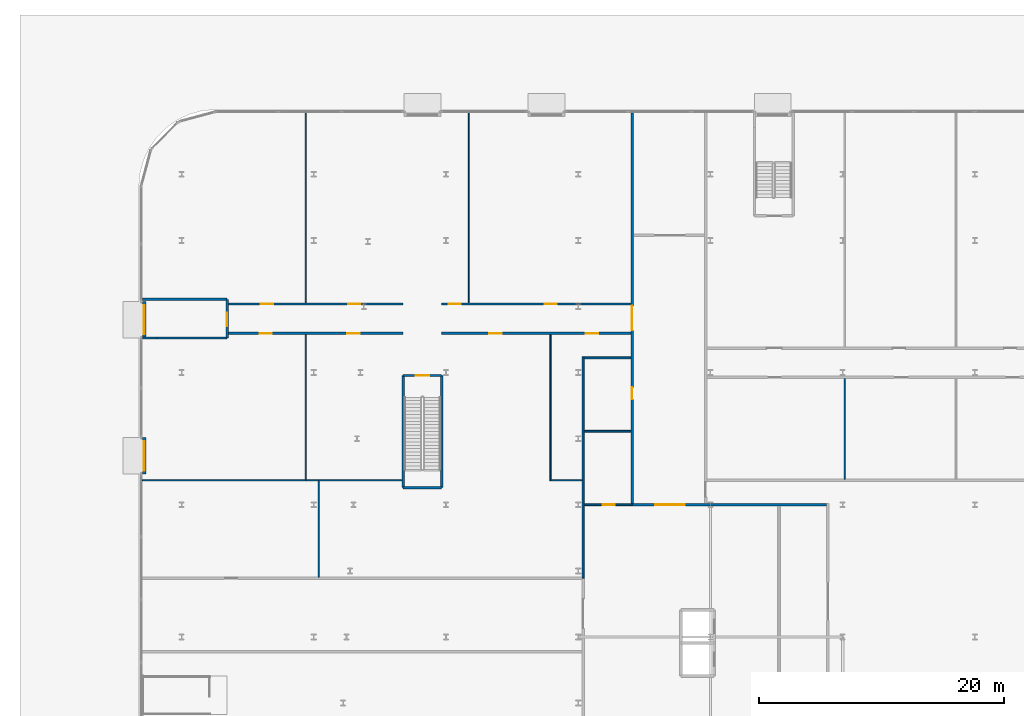
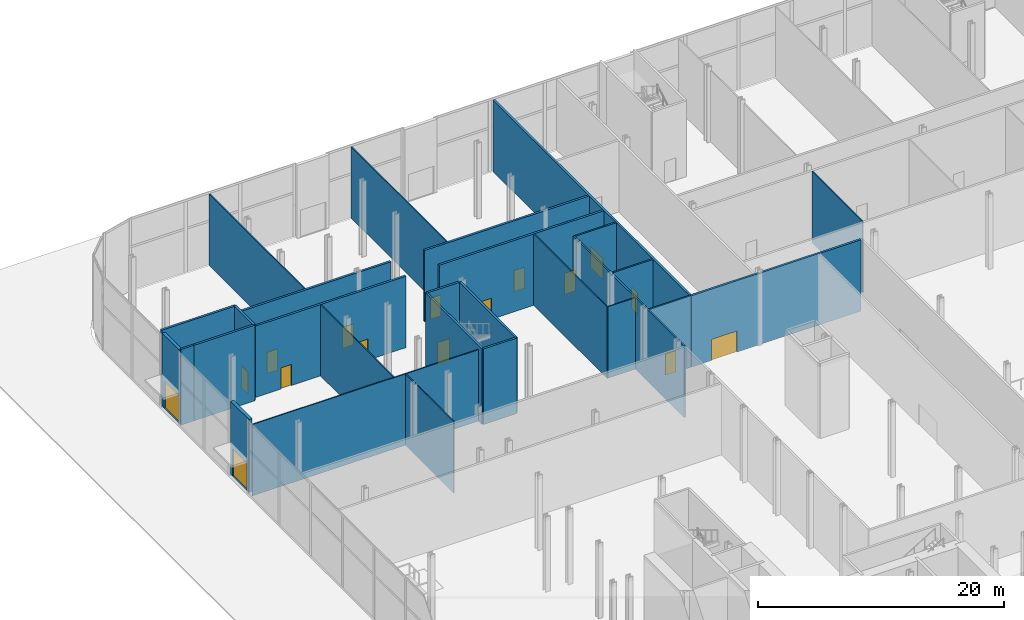
# One storey, part 30 of 46: 28 walls, 16 doors, 16 openings.
"""IFC4 building model written with IfcOpenShell, lengths in metres."""

from ifc_helpers import new_model, si_unit, direction, frame, frame_2d, origin, place, context, subcontext, project, spatial, rectangle, extrude, source, transform, mapped, material, layer, layer_set, type_object, element, fill, save


model = new_model("IFC4")

# Units and contexts
model_context = context("Model", 3, precision=1e-05, world=origin(), true_north=direction((0.0, 1.0)))
body_context = subcontext(model_context, "Body", "Model", "MODEL_VIEW")
ifc_project = project(units=[si_unit("LENGTHUNIT", "METRE"), si_unit("AREAUNIT", "SQUARE_METRE"), si_unit("VOLUMEUNIT", "CUBIC_METRE"), si_unit("PLANEANGLEUNIT", "RADIAN"), si_unit("MASSUNIT", "GRAM", prefix="KILO")], contexts=[model_context])

# Site, building, storey
site_placement = place(None, origin())
site = spatial("IfcSite", under=ifc_project, at=site_placement, CompositionType="ELEMENT")
building_placement = place(site_placement, origin())
building = spatial("IfcBuilding", under=site, at=building_placement, Name="Kheshtan School and Residences Tower", CompositionType="ELEMENT")
storey_placement = place(building_placement, origin())
storey = spatial("IfcBuildingStorey", under=building, at=storey_placement, Name="L00", CompositionType="ELEMENT", Elevation=0.0)

# Wall, openings, doors
ifc_material_1 = material(Name="Gypsum board on steel studs with fire boards", Category="steel")
ifc_layer_1 = layer(ifc_material_1, 0.199951171875)
ifc_layer_set_1 = layer_set([ifc_layer_1], Name="Corridor wall 200")
wall_type_1 = type_object("IfcWallType", Name="Corridor wall 200", PredefinedType="PARTITIONING", material=ifc_layer_set_1)
wall_1_placement = place(storey_placement, frame((19.01904296875, 92.0, 0.0), z_axis=(0.0, 0.0, 1.0), x_axis=(1.0, 0.0, 0.0)))
wall_1 = element("IfcWall", 1, at=wall_1_placement, inside=storey, type_object=wall_type_1, Name="Partition L00-008", PredefinedType="PARTITIONING", context=body_context, shape_type="SweptSolid", body=[
    extrude(rectangle(XDim=14.281005859375, YDim=0.199951171875, at=frame_2d((7.140625, 0.0))), origin(), (0.0, 0.0, 1.0), 7.080078125),
])
opening_1_placement = place(wall_1_placement, frame((2.551025390625, 0.0, 0.0)))
opening_1 = element("IfcOpeningElement", 2, at=opening_1_placement, cuts=wall_1, Name="Opening D00-010", PredefinedType="OPENING", context=body_context, shape_type="SweptSolid", body=[
    extrude(rectangle(XDim=1.0, YDim=2.10009765625, at=frame_2d((0.5, 1.050048828125))), frame((0.0, 0.10986328125, 0.0), z_axis=(0.0, -1.0, 0.0), x_axis=(1.0, 0.0, 0.0)), (0.0, 0.0, 1.0), 0.219970703125),
])
opening_2_placement = place(wall_1_placement, frame((9.714111328125, 0.0, 0.0)))
opening_2 = element("IfcOpeningElement", 3, at=opening_2_placement, cuts=wall_1, Name="Opening D00-011", PredefinedType="OPENING", context=body_context, shape_type="SweptSolid", body=[
    extrude(rectangle(XDim=1.0, YDim=2.10009765625, at=frame_2d((0.5, 1.050048828125))), frame((0.0, 0.10986328125, 0.0), z_axis=(0.0, -1.0, 0.0), x_axis=(1.0, 0.0, 0.0)), (0.0, 0.0, 1.0), 0.219970703125),
])
ifc_material_2 = material(Name="Steel-framed fire-resisting door leaf", Category="steel")
door_type_1 = type_object("IfcDoorType", Name="Fire door FD60 1000 x 2100", OperationType="SINGLE_SWING_LEFT", PredefinedType="DOOR", material=ifc_material_2)
shared_shape_1 = source(origin(), body_context, "Body", "SweptSolid", [
    extrude(rectangle(XDim=1.0, YDim=2.10009765625, at=frame_2d((0.5, 1.050048828125))), frame((0.0, 0.02490234375, 0.0), z_axis=(0.0, -1.0, 0.0), x_axis=(1.0, 0.0, 0.0)), (0.0, 0.0, 1.0), 0.050048828125),
])
door_1_placement = place(opening_1_placement, origin())
door_1 = element("IfcDoor", 4, at=door_1_placement, inside=storey, type_object=door_type_1, Name="Door D00-010", OperationType="SINGLE_SWING_LEFT", OverallHeight=2.10009765625, OverallWidth=1.0, PredefinedType="DOOR", context=body_context, shape_type="MappedRepresentation", body=[
    mapped(shared_shape_1, transform((0.0, 0.0, 0.0), x_axis=(1.0, 0.0, 0.0), y_axis=(0.0, 1.0, 0.0), z_axis=(0.0, 0.0, 1.0), scale=1.0)),
])
fill(opening_1, door_1)
door_2_placement = place(opening_2_placement, origin())
door_2 = element("IfcDoor", 5, at=door_2_placement, inside=storey, type_object=door_type_1, Name="Door D00-011", OperationType="SINGLE_SWING_RIGHT", OverallHeight=2.10009765625, OverallWidth=1.0, PredefinedType="DOOR", context=body_context, shape_type="MappedRepresentation", body=[
    mapped(shared_shape_1, transform((0.0, 0.0, 0.0), x_axis=(1.0, 0.0, 0.0), y_axis=(0.0, 1.0, 0.0), z_axis=(0.0, 0.0, 1.0), scale=1.0)),
])
fill(opening_2, door_2)

wall_2_placement = place(storey_placement, frame((19.01904296875, 94.39990234375, 0.0), z_axis=(0.0, 0.0, 1.0), x_axis=(1.0, 0.0, 0.0)))
wall_2 = element("IfcWall", 6, at=wall_2_placement, inside=storey, type_object=wall_type_1, Name="Partition L00-009", PredefinedType="PARTITIONING", context=body_context, shape_type="SweptSolid", body=[
    extrude(rectangle(XDim=14.281005859375, YDim=0.199951171875, at=frame_2d((7.140625, 0.0))), origin(), (0.0, 0.0, 1.0), 7.080078125),
])
opening_3_placement = place(wall_2_placement, frame((2.6640625, 0.0, 0.0)))
opening_3 = element("IfcOpeningElement", 7, at=opening_3_placement, cuts=wall_2, Name="Opening D00-014", PredefinedType="OPENING", context=body_context, shape_type="SweptSolid", body=[
    extrude(rectangle(XDim=1.0, YDim=2.10009765625, at=frame_2d((0.5, 1.050048828125))), frame((0.0, 0.10986328125, 0.0), z_axis=(0.0, -1.0, 0.0), x_axis=(1.0, 0.0, 0.0)), (0.0, 0.0, 1.0), 0.219970703125),
])
opening_4_placement = place(wall_2_placement, frame((9.781005859375, 0.0, 0.0)))
opening_4 = element("IfcOpeningElement", 8, at=opening_4_placement, cuts=wall_2, Name="Opening D00-015", PredefinedType="OPENING", context=body_context, shape_type="SweptSolid", body=[
    extrude(rectangle(XDim=1.0, YDim=2.10009765625, at=frame_2d((0.5, 1.050048828125))), frame((0.0, 0.10986328125, 0.0), z_axis=(0.0, -1.0, 0.0), x_axis=(1.0, 0.0, 0.0)), (0.0, 0.0, 1.0), 0.219970703125),
])
door_3_placement = place(opening_3_placement, origin())
door_3 = element("IfcDoor", 9, at=door_3_placement, inside=storey, type_object=door_type_1, Name="Door D00-014", OperationType="SINGLE_SWING_LEFT", OverallHeight=2.10009765625, OverallWidth=1.0, PredefinedType="DOOR", context=body_context, shape_type="MappedRepresentation", body=[
    mapped(shared_shape_1, transform((0.0, 0.0, 0.0), x_axis=(1.0, 0.0, 0.0), y_axis=(0.0, 1.0, 0.0), z_axis=(0.0, 0.0, 1.0), scale=1.0)),
])
fill(opening_3, door_3)
door_4_placement = place(opening_4_placement, origin())
door_4 = element("IfcDoor", 10, at=door_4_placement, inside=storey, type_object=door_type_1, Name="Door D00-015", OperationType="SINGLE_SWING_RIGHT", OverallHeight=2.10009765625, OverallWidth=1.0, PredefinedType="DOOR", context=body_context, shape_type="MappedRepresentation", body=[
    mapped(shared_shape_1, transform((0.0, 0.0, 0.0), x_axis=(1.0, 0.0, 0.0), y_axis=(0.0, 1.0, 0.0), z_axis=(0.0, 0.0, 1.0), scale=1.0)),
])
fill(opening_4, door_4)

wall_3_placement = place(storey_placement, frame((36.449951171875, 92.0, 0.0), z_axis=(0.0, 0.0, 1.0), x_axis=(1.0, 0.0, 0.0)))
wall_3 = element("IfcWall", 11, at=wall_3_placement, inside=storey, type_object=wall_type_1, Name="Partition L00-016", PredefinedType="PARTITIONING", context=body_context, shape_type="SweptSolid", body=[
    extrude(rectangle(XDim=15.449951171875, YDim=0.199951171875, at=frame_2d((7.72509765625, 0.0))), origin(), (0.0, 0.0, 1.0), 7.080078125),
])
opening_5_placement = place(wall_3_placement, frame((3.89990234375, 0.0, 0.0)))
opening_5 = element("IfcOpeningElement", 12, at=opening_5_placement, cuts=wall_3, Name="Opening D00-012", PredefinedType="OPENING", context=body_context, shape_type="SweptSolid", body=[
    extrude(rectangle(XDim=1.0, YDim=2.10009765625, at=frame_2d((0.5, 1.050048828125))), frame((0.0, 0.10986328125, 0.0), z_axis=(0.0, -1.0, 0.0), x_axis=(1.0, 0.0, 0.0)), (0.0, 0.0, 1.0), 0.219970703125),
])
opening_6_placement = place(wall_3_placement, frame((11.782958984375, 0.0, 0.0)))
opening_6 = element("IfcOpeningElement", 13, at=opening_6_placement, cuts=wall_3, Name="Opening D00-013", PredefinedType="OPENING", context=body_context, shape_type="SweptSolid", body=[
    extrude(rectangle(XDim=1.0, YDim=2.10009765625, at=frame_2d((0.5, 1.050048828125))), frame((0.0, 0.10986328125, 0.0), z_axis=(0.0, -1.0, 0.0), x_axis=(1.0, 0.0, 0.0)), (0.0, 0.0, 1.0), 0.219970703125),
])
door_5_placement = place(opening_5_placement, origin())
door_5 = element("IfcDoor", 14, at=door_5_placement, inside=storey, type_object=door_type_1, Name="Door D00-012", OperationType="SINGLE_SWING_RIGHT", OverallHeight=2.10009765625, OverallWidth=1.0, PredefinedType="DOOR", context=body_context, shape_type="MappedRepresentation", body=[
    mapped(shared_shape_1, transform((0.0, 0.0, 0.0), x_axis=(1.0, 0.0, 0.0), y_axis=(0.0, 1.0, 0.0), z_axis=(0.0, 0.0, 1.0), scale=1.0)),
])
fill(opening_5, door_5)
door_6_placement = place(opening_6_placement, origin())
door_6 = element("IfcDoor", 15, at=door_6_placement, inside=storey, type_object=door_type_1, Name="Door D00-013", OperationType="SINGLE_SWING_LEFT", OverallHeight=2.10009765625, OverallWidth=1.0, PredefinedType="DOOR", context=body_context, shape_type="MappedRepresentation", body=[
    mapped(shared_shape_1, transform((0.0, 0.0, 0.0), x_axis=(1.0, 0.0, 0.0), y_axis=(0.0, 1.0, 0.0), z_axis=(0.0, 0.0, 1.0), scale=1.0)),
])
fill(opening_6, door_6)

wall_4_placement = place(storey_placement, frame((36.449951171875, 94.39990234375, 0.0), z_axis=(0.0, 0.0, 1.0), x_axis=(1.0, 0.0, 0.0)))
wall_4 = element("IfcWall", 16, at=wall_4_placement, inside=storey, type_object=wall_type_1, Name="Partition L00-017", PredefinedType="PARTITIONING", context=body_context, shape_type="SweptSolid", body=[
    extrude(rectangle(XDim=15.449951171875, YDim=0.199951171875, at=frame_2d((7.72509765625, 0.0))), origin(), (0.0, 0.0, 1.0), 7.080078125),
])
opening_7_placement = place(wall_4_placement, frame((0.56689453125, 0.0, 0.0)))
opening_7 = element("IfcOpeningElement", 17, at=opening_7_placement, cuts=wall_4, Name="Opening D00-016", PredefinedType="OPENING", context=body_context, shape_type="SweptSolid", body=[
    extrude(rectangle(XDim=1.0, YDim=2.10009765625, at=frame_2d((0.5, 1.050048828125))), frame((0.0, 0.10986328125, 0.0), z_axis=(0.0, -1.0, 0.0), x_axis=(1.0, 0.0, 0.0)), (0.0, 0.0, 1.0), 0.219970703125),
])
opening_8_placement = place(wall_4_placement, frame((8.39990234375, 0.0, 0.0)))
opening_8 = element("IfcOpeningElement", 18, at=opening_8_placement, cuts=wall_4, Name="Opening D00-017", PredefinedType="OPENING", context=body_context, shape_type="SweptSolid", body=[
    extrude(rectangle(XDim=1.0, YDim=2.10009765625, at=frame_2d((0.5, 1.050048828125))), frame((0.0, 0.10986328125, 0.0), z_axis=(0.0, -1.0, 0.0), x_axis=(1.0, 0.0, 0.0)), (0.0, 0.0, 1.0), 0.219970703125),
])
door_7_placement = place(opening_7_placement, origin())
door_7 = element("IfcDoor", 19, at=door_7_placement, inside=storey, type_object=door_type_1, Name="Door D00-016", OperationType="SINGLE_SWING_RIGHT", OverallHeight=2.10009765625, OverallWidth=1.0, PredefinedType="DOOR", context=body_context, shape_type="MappedRepresentation", body=[
    mapped(shared_shape_1, transform((0.0, 0.0, 0.0), x_axis=(1.0, 0.0, 0.0), y_axis=(0.0, 1.0, 0.0), z_axis=(0.0, 0.0, 1.0), scale=1.0)),
])
fill(opening_7, door_7)
door_8_placement = place(opening_8_placement, origin())
door_8 = element("IfcDoor", 20, at=door_8_placement, inside=storey, type_object=door_type_1, Name="Door D00-017", OperationType="SINGLE_SWING_RIGHT", OverallHeight=2.10009765625, OverallWidth=1.0, PredefinedType="DOOR", context=body_context, shape_type="MappedRepresentation", body=[
    mapped(shared_shape_1, transform((0.0, 0.0, 0.0), x_axis=(1.0, 0.0, 0.0), y_axis=(0.0, 1.0, 0.0), z_axis=(0.0, 0.0, 1.0), scale=1.0)),
])
fill(opening_8, door_8)

# Wall, opening, door
wall_5_placement = place(storey_placement, frame((52.0, 78.0, 0.0), z_axis=(0.0, 0.0, 1.0), x_axis=(1.0, 0.0, 0.0)))
wall_5 = element("IfcWall", 21, at=wall_5_placement, inside=storey, type_object=wall_type_1, Name="Partition L00-030", PredefinedType="PARTITIONING", context=body_context, shape_type="SweptSolid", body=[
    extrude(rectangle(XDim=15.89990234375, YDim=0.199951171875, at=frame_2d((7.949951171875, 0.0))), origin(), (0.0, 0.0, 1.0), 7.080078125),
])
opening_9_placement = place(wall_5_placement, frame((1.89990234375, 0.0, 0.0)))
opening_9 = element("IfcOpeningElement", 22, at=opening_9_placement, cuts=wall_5, Name="Opening D00-053", PredefinedType="OPENING", context=body_context, shape_type="SweptSolid", body=[
    extrude(rectangle(XDim=2.39990234375, YDim=2.10009765625, at=frame_2d((1.199951171875, 1.050048828125))), frame((0.0, 0.10986328125, 0.0), z_axis=(0.0, -1.0, 0.0), x_axis=(1.0, 0.0, 0.0)), (0.0, 0.0, 1.0), 0.219970703125),
])
door_type_2 = type_object("IfcDoorType", Name="Fire double door FD60 2400 x 2100", OperationType="DOUBLE_DOOR_SINGLE_SWING", PredefinedType="DOOR", material=ifc_material_2)
shared_shape_2 = source(origin(), body_context, "Body", "SweptSolid", [
    extrude(rectangle(XDim=2.39990234375, YDim=2.10009765625, at=frame_2d((1.199951171875, 1.050048828125))), frame((0.0, 0.02490234375, 0.0), z_axis=(0.0, -1.0, 0.0), x_axis=(1.0, 0.0, 0.0)), (0.0, 0.0, 1.0), 0.050048828125),
])
door_9_placement = place(opening_9_placement, origin())
door_9 = element("IfcDoor", 23, at=door_9_placement, inside=storey, type_object=door_type_2, Name="Door D00-053", OperationType="DOUBLE_DOOR_SINGLE_SWING", OverallHeight=2.10009765625, OverallWidth=2.39990234375, PredefinedType="DOOR", context=body_context, shape_type="MappedRepresentation", body=[
    mapped(shared_shape_2, transform((0.0, 0.0, 0.0), x_axis=(1.0, 0.0, 0.0), y_axis=(0.0, 1.0, 0.0), z_axis=(0.0, 0.0, 1.0), scale=1.0)),
])
fill(opening_9, door_9)

# Wall, openings, doors
wall_6_placement = place(storey_placement, frame((52.0, 78.10009765625, 0.0), z_axis=(0.0, 0.0, 1.0), x_axis=(0.0, 1.0, 0.0)))
wall_6 = element("IfcWall", 24, at=wall_6_placement, inside=storey, type_object=wall_type_1, Name="Partition L00-031", PredefinedType="PARTITIONING", context=body_context, shape_type="SweptSolid", body=[
    extrude(rectangle(XDim=31.89990234375, YDim=0.199951171875, at=frame_2d((15.949951171875, 0.0))), origin(), (0.0, 0.0, 1.0), 7.080078125),
])
opening_10_placement = place(wall_6_placement, frame((14.14990234375, 0.0, 0.0)))
opening_10 = element("IfcOpeningElement", 25, at=opening_10_placement, cuts=wall_6, Name="Opening D00-018", PredefinedType="OPENING", context=body_context, shape_type="SweptSolid", body=[
    extrude(rectangle(XDim=2.0, YDim=2.10009765625, at=frame_2d((1.0, 1.050048828125))), frame((0.0, 0.10986328125, 0.0), z_axis=(0.0, -1.0, 0.0), x_axis=(1.0, 0.0, 0.0)), (0.0, 0.0, 1.0), 0.219970703125),
])
opening_11_placement = place(wall_6_placement, frame((8.5, 0.0, 0.0)))
opening_11 = element("IfcOpeningElement", 26, at=opening_11_placement, cuts=wall_6, Name="Opening D00-054", PredefinedType="OPENING", context=body_context, shape_type="SweptSolid", body=[
    extrude(rectangle(XDim=1.0, YDim=2.10009765625, at=frame_2d((0.5, 1.050048828125))), frame((0.0, 0.10986328125, 0.0), z_axis=(0.0, -1.0, 0.0), x_axis=(1.0, 0.0, 0.0)), (0.0, 0.0, 1.0), 0.219970703125),
])
door_10_placement = place(opening_11_placement, origin())
door_10 = element("IfcDoor", 27, at=door_10_placement, inside=storey, type_object=door_type_1, Name="Door D00-054", OperationType="SINGLE_SWING_LEFT", OverallHeight=2.10009765625, OverallWidth=1.0, PredefinedType="DOOR", context=body_context, shape_type="MappedRepresentation", body=[
    mapped(shared_shape_1, transform((0.0, 0.0, 0.0), x_axis=(1.0, 0.0, 0.0), y_axis=(0.0, 1.0, 0.0), z_axis=(0.0, 0.0, 1.0), scale=1.0)),
])
fill(opening_11, door_10)
door_type_3 = type_object("IfcDoorType", Name="Fire double door FD60 2000 x 2100", OperationType="DOUBLE_DOOR_SINGLE_SWING", PredefinedType="DOOR", material=ifc_material_2)
shared_shape_3 = source(origin(), body_context, "Body", "SweptSolid", [
    extrude(rectangle(XDim=2.0, YDim=2.10009765625, at=frame_2d((1.0, 1.050048828125))), frame((0.0, 0.02490234375, 0.0), z_axis=(0.0, -1.0, 0.0), x_axis=(1.0, 0.0, 0.0)), (0.0, 0.0, 1.0), 0.050048828125),
])
door_11_placement = place(opening_10_placement, origin())
door_11 = element("IfcDoor", 28, at=door_11_placement, inside=storey, type_object=door_type_3, Name="Door D00-018", OperationType="DOUBLE_DOOR_SINGLE_SWING", OverallHeight=2.10009765625, OverallWidth=2.0, PredefinedType="DOOR", context=body_context, shape_type="MappedRepresentation", body=[
    mapped(shared_shape_3, transform((0.0, 0.0, 0.0), x_axis=(1.0, 0.0, 0.0), y_axis=(0.0, 1.0, 0.0), z_axis=(0.0, 0.0, 1.0), scale=1.0)),
])
fill(opening_10, door_11)

# Walls
ifc_material_3 = material(Name="Gypsum board on steel studs", Category="steel")
ifc_layer_2 = layer(ifc_material_3, 0.10009765625)
ifc_layer_set_2 = layer_set([ifc_layer_2], Name="Gypsum partition 100")
wall_type_2 = type_object("IfcWallType", Name="Gypsum partition 100", PredefinedType="PARTITIONING", material=ifc_layer_set_2)
wall_7_placement = place(storey_placement, frame((12.0, 80.0, 0.0), z_axis=(0.0, 0.0, 1.0), x_axis=(1.0, 0.0, 0.0)))
element("IfcWall", 29, at=wall_7_placement, inside=storey, type_object=wall_type_2, Name="Partition L00-007", PredefinedType="PARTITIONING", context=body_context, shape_type="SweptSolid", body=[
    extrude(rectangle(XDim=21.200927734375, YDim=0.10009765625, at=frame_2d((10.6005859375, 0.0))), origin(), (0.0, 0.0, 1.0), 7.080078125),
])
wall_8_placement = place(storey_placement, frame((25.3330078125, 80.050048828125, 0.0), z_axis=(0.0, 0.0, 1.0), x_axis=(0.0, 1.0, 0.0)))
element("IfcWall", 30, at=wall_8_placement, inside=storey, type_object=wall_type_2, Name="Partition L00-011", PredefinedType="PARTITIONING", context=body_context, shape_type="SweptSolid", body=[
    extrude(rectangle(XDim=11.849853515625, YDim=0.10009765625, at=frame_2d((5.9248046875, 0.0))), origin(), (0.0, 0.0, 1.0), 7.080078125),
])
wall_9_placement = place(storey_placement, frame((25.3330078125, 94.5, 0.0), z_axis=(0.0, 0.0, 1.0), x_axis=(0.0, 1.0, 0.0)))
element("IfcWall", 31, at=wall_9_placement, inside=storey, type_object=wall_type_2, Name="Partition L00-012", PredefinedType="PARTITIONING", context=body_context, shape_type="SweptSolid", body=[
    extrude(rectangle(XDim=15.5, YDim=0.10009765625, at=frame_2d((7.75, 0.0))), origin(), (0.0, 0.0, 1.0), 7.080078125),
])
wall_10_placement = place(storey_placement, frame((26.39990234375, 72.10009765625, 0.0), z_axis=(0.0, 0.0, 1.0), x_axis=(0.0, 1.0, 0.0)))
element("IfcWall", 32, at=wall_10_placement, inside=storey, type_object=wall_type_2, Name="Partition L00-014", PredefinedType="PARTITIONING", context=body_context, shape_type="SweptSolid", body=[
    extrude(rectangle(XDim=7.849853515625, YDim=0.10009765625, at=frame_2d((3.9248046875, 0.0))), origin(), (0.0, 0.0, 1.0), 7.080078125),
])
wall_11_placement = place(storey_placement, frame((38.6669921875, 94.5, 0.0), z_axis=(0.0, 0.0, 1.0), x_axis=(0.0, 1.0, 0.0)))
element("IfcWall", 33, at=wall_11_placement, inside=storey, type_object=wall_type_2, Name="Partition L00-020", PredefinedType="PARTITIONING", context=body_context, shape_type="SweptSolid", body=[
    extrude(rectangle(XDim=15.5, YDim=0.10009765625, at=frame_2d((7.75, 0.0))), origin(), (0.0, 0.0, 1.0), 7.080078125),
])
wall_12_placement = place(storey_placement, frame((45.3330078125, 79.949951171875, 0.0), z_axis=(0.0, 0.0, 1.0), x_axis=(0.0, 1.0, 0.0)))
element("IfcWall", 34, at=wall_12_placement, inside=storey, type_object=wall_type_2, Name="Partition L00-021", PredefinedType="PARTITIONING", context=body_context, shape_type="SweptSolid", body=[
    extrude(rectangle(XDim=11.949951171875, YDim=0.10009765625, at=frame_2d((5.97509765625, 0.0))), origin(), (0.0, 0.0, 1.0), 7.080078125),
])
wall_13_placement = place(storey_placement, frame((45.383056640625, 80.0, 0.0), z_axis=(0.0, 0.0, 1.0), x_axis=(1.0, 0.0, 0.0)))
element("IfcWall", 35, at=wall_13_placement, inside=storey, type_object=wall_type_2, Name="Partition L00-022", PredefinedType="PARTITIONING", context=body_context, shape_type="SweptSolid", body=[
    extrude(rectangle(XDim=2.5419921875, YDim=0.10009765625, at=frame_2d((1.27099609375, 0.0))), origin(), (0.0, 0.0, 1.0), 7.080078125),
])
wall_14_placement = place(storey_placement, frame((69.364013671875, 80.10009765625, 0.0), z_axis=(0.0, 0.0, 1.0), x_axis=(0.0, 1.0, 0.0)))
element("IfcWall", 36, at=wall_14_placement, inside=storey, type_object=wall_type_2, Name="Partition L00-041", PredefinedType="PARTITIONING", context=body_context, shape_type="SweptSolid", body=[
    extrude(rectangle(XDim=8.199951171875, YDim=0.10009765625, at=frame_2d((4.10009765625, 0.0))), origin(), (0.0, 0.0, 1.0), 7.080078125),
])

# Wall, opening, door
ifc_material_4 = material(Name="Concrete C40/50 with ceramic cladding and mineral wool insulation", Category="concrete")
ifc_layer_3 = layer(ifc_material_4, 0.300048828125)
ifc_layer_set_3 = layer_set([ifc_layer_3], Name="Podium external wall 300")
wall_type_3 = type_object("IfcWallType", Name="Podium external wall 300", PredefinedType="SOLIDWALL", material=ifc_layer_set_3)
wall_15_placement = place(storey_placement, frame((12.14990234375, 80.5, 0.0), z_axis=(0.0, 0.0, 1.0), x_axis=(0.0, 1.0, 0.0)))
wall_15 = element("IfcWall", 37, at=wall_15_placement, inside=storey, type_object=wall_type_3, Name="Podium external wall L00 16.3", PredefinedType="SOLIDWALL", context=body_context, shape_type="SweptSolid", body=[
    extrude(rectangle(XDim=3.0, YDim=0.300048828125, at=frame_2d((1.5, 0.0))), origin(), (0.0, 0.0, 1.0), 7.25),
])
opening_12_placement = place(wall_15_placement, frame((0.300048828125, 0.0, 0.0)))
opening_12 = element("IfcOpeningElement", 38, at=opening_12_placement, cuts=wall_15, Name="Opening ED", PredefinedType="OPENING", context=body_context, shape_type="SweptSolid", body=[
    extrude(rectangle(XDim=2.39990234375, YDim=2.699951171875, at=frame_2d((1.199951171875, 1.35009765625))), frame((0.0, 0.16015625, 0.0), z_axis=(0.0, -1.0, 0.0), x_axis=(1.0, 0.0, 0.0)), (0.0, 0.0, 1.0), 0.320068359375),
])
ifc_material_5 = material(Name="Clear low-e glass in thermally broken aluminium frame", Category="aluminium")
door_type_4 = type_object("IfcDoorType", Name="Entrance double door", OperationType="DOUBLE_DOOR_SINGLE_SWING", PredefinedType="DOOR", material=ifc_material_5)
shared_shape_4 = source(origin(), body_context, "Body", "SweptSolid", [
    extrude(rectangle(XDim=2.39990234375, YDim=2.699951171875, at=frame_2d((1.199951171875, 1.35009765625))), frame((0.0, 0.02490234375, 0.0), z_axis=(0.0, -1.0, 0.0), x_axis=(1.0, 0.0, 0.0)), (0.0, 0.0, 1.0), 0.050048828125),
])
door_12_placement = place(opening_12_placement, origin())
door_12 = element("IfcDoor", 39, at=door_12_placement, inside=storey, type_object=door_type_4, Name="Entrance door 16.3", OperationType="DOUBLE_DOOR_SINGLE_SWING", OverallHeight=2.699951171875, OverallWidth=2.39990234375, PredefinedType="DOOR", context=body_context, shape_type="MappedRepresentation", body=[
    mapped(shared_shape_4, transform((0.0, 0.0, 0.0), x_axis=(1.0, 0.0, 0.0), y_axis=(0.0, 1.0, 0.0), z_axis=(0.0, 0.0, 1.0), scale=1.0)),
])
fill(opening_12, door_12)

wall_16_placement = place(storey_placement, frame((12.14990234375, 91.614990234375, 0.0), z_axis=(0.0, 0.0, 1.0), x_axis=(0.0, 1.0, 0.0)))
wall_16 = element("IfcWall", 40, at=wall_16_placement, inside=storey, type_object=wall_type_3, Name="Podium external wall L00 16.5", PredefinedType="SOLIDWALL", context=body_context, shape_type="SweptSolid", body=[
    extrude(rectangle(XDim=3.0, YDim=0.300048828125, at=frame_2d((1.5, 0.0))), origin(), (0.0, 0.0, 1.0), 7.25),
])
opening_13_placement = place(wall_16_placement, frame((0.300048828125, 0.0, 0.0)))
opening_13 = element("IfcOpeningElement", 41, at=opening_13_placement, cuts=wall_16, Name="Opening ED", PredefinedType="OPENING", context=body_context, shape_type="SweptSolid", body=[
    extrude(rectangle(XDim=2.39990234375, YDim=2.699951171875, at=frame_2d((1.199951171875, 1.35009765625))), frame((0.0, 0.16015625, 0.0), z_axis=(0.0, -1.0, 0.0), x_axis=(1.0, 0.0, 0.0)), (0.0, 0.0, 1.0), 0.320068359375),
])
door_13_placement = place(opening_13_placement, origin())
door_13 = element("IfcDoor", 42, at=door_13_placement, inside=storey, type_object=door_type_4, Name="Entrance door 16.5", OperationType="DOUBLE_DOOR_SINGLE_SWING", OverallHeight=2.699951171875, OverallWidth=2.39990234375, PredefinedType="DOOR", context=body_context, shape_type="MappedRepresentation", body=[
    mapped(shared_shape_4, transform((0.0, 0.0, 0.0), x_axis=(1.0, 0.0, 0.0), y_axis=(0.0, 1.0, 0.0), z_axis=(0.0, 0.0, 1.0), scale=1.0)),
])
fill(opening_13, door_13)

# Wall
ifc_material_6 = material(Name="Concrete C40/50", Category="concrete")
ifc_layer_4 = layer(ifc_material_6, 0.199951171875)
ifc_layer_set_4 = layer_set([ifc_layer_4], Name="Stair enclosure wall 200 Concrete C40/50")
wall_type_4 = type_object("IfcWallType", Name="Stair enclosure wall 200 Concrete C40/50", PredefinedType="SHEAR", material=ifc_layer_set_4)
wall_17_placement = place(storey_placement, frame((33.300048828125, 79.39990234375, 0.0), z_axis=(0.0, 0.0, 1.0), x_axis=(1.0, 0.0, 0.0)))
element("IfcWall", 43, at=wall_17_placement, inside=storey, type_object=wall_type_4, Name="Stair enclosure wall ST3", PredefinedType="SHEAR", context=body_context, shape_type="SweptSolid", body=[
    extrude(rectangle(XDim=3.14990234375, YDim=0.199951171875, at=frame_2d((1.574951171875, 0.0))), origin(), (0.0, 0.0, 1.0), 7.5),
])

# Wall, opening, door
wall_18_placement = place(storey_placement, frame((33.300048828125, 88.56005859375, 0.0), z_axis=(0.0, 0.0, 1.0), x_axis=(1.0, 0.0, 0.0)))
wall_18 = element("IfcWall", 44, at=wall_18_placement, inside=storey, type_object=wall_type_4, Name="Stair enclosure wall ST3", PredefinedType="SHEAR", context=body_context, shape_type="SweptSolid", body=[
    extrude(rectangle(XDim=3.14990234375, YDim=0.199951171875, at=frame_2d((1.574951171875, 0.0))), origin(), (0.0, 0.0, 1.0), 7.5),
])
opening_14_placement = place(wall_18_placement, frame((1.02490234375, 0.0, 0.0)))
opening_14 = element("IfcOpeningElement", 45, at=opening_14_placement, cuts=wall_18, Name="Opening ST3D", PredefinedType="OPENING", context=body_context, shape_type="SweptSolid", body=[
    extrude(rectangle(XDim=1.10009765625, YDim=2.199951171875, at=frame_2d((0.550048828125, 1.10009765625))), frame((0.0, 0.10986328125, 0.0), z_axis=(0.0, -1.0, 0.0), x_axis=(1.0, 0.0, 0.0)), (0.0, 0.0, 1.0), 0.219970703125),
])
ifc_material_7 = material(Name="Steel door leaf, galvanised", Category="steel")
door_type_5 = type_object("IfcDoorType", Name="Stair door 1100 steel 90 min", OperationType="SINGLE_SWING_LEFT", PredefinedType="DOOR", material=ifc_material_7)
shared_shape_5 = source(origin(), body_context, "Body", "SweptSolid", [
    extrude(rectangle(XDim=1.10009765625, YDim=2.199951171875, at=frame_2d((0.550048828125, 1.10009765625))), frame((0.0, 0.02490234375, 0.0), z_axis=(0.0, -1.0, 0.0), x_axis=(1.0, 0.0, 0.0)), (0.0, 0.0, 1.0), 0.050048828125),
])
door_14_placement = place(opening_14_placement, origin())
door_14 = element("IfcDoor", 46, at=door_14_placement, inside=storey, type_object=door_type_5, Name="Stair ST3 exit door", OperationType="SINGLE_SWING_LEFT", OverallHeight=2.199951171875, OverallWidth=1.10009765625, PredefinedType="DOOR", context=body_context, shape_type="MappedRepresentation", body=[
    mapped(shared_shape_5, transform((0.0, 0.0, 0.0), x_axis=(1.0, 0.0, 0.0), y_axis=(0.0, 1.0, 0.0), z_axis=(0.0, 0.0, 1.0), scale=1.0)),
])
fill(opening_14, door_14)

# Walls
for number, where, z_axis, x_axis, name in (
    (47, (33.300048828125, 79.39990234375, 0.0), (0.0, 0.0, 1.0), (0.0, 1.0, 0.0), "Stair enclosure wall ST3"),
    (48, (36.449951171875, 79.39990234375, 0.0), (0.0, 0.0, 1.0), (0.0, 1.0, 0.0), "Stair enclosure wall ST3"),
):
    element("IfcWall", number, at=place(storey_placement, frame(where, z_axis=z_axis, x_axis=x_axis)), inside=storey, type_object=wall_type_4, Name=name, PredefinedType="SHEAR", context=body_context, shape_type="SweptSolid", body=[
        extrude(rectangle(XDim=9.16015625, YDim=0.199951171875, at=frame_2d((4.580078125, 0.0))), origin(), (0.0, 0.0, 1.0), 7.5),
    ])
wall_19_placement = place(storey_placement, frame((12.0, 91.625, 0.0), z_axis=(0.0, 0.0, 1.0), x_axis=(1.0, 0.0, 0.0)))
element("IfcWall", 49, at=wall_19_placement, inside=storey, type_object=wall_type_4, Name="Stair enclosure wall", PredefinedType="SHEAR", context=body_context, shape_type="SweptSolid", body=[
    extrude(rectangle(XDim=1.199951171875, YDim=0.199951171875, at=frame_2d((0.60009765625, 0.0))), origin(), (0.0, 0.0, 1.0), 7.5),
])
wall_20_placement = place(storey_placement, frame((13.199951171875, 91.625, 0.0), z_axis=(0.0, 0.0, 1.0), x_axis=(1.0, 0.0, 0.0)))
element("IfcWall", 50, at=wall_20_placement, inside=storey, type_object=wall_type_4, Name="Stair enclosure wall", PredefinedType="SHEAR", context=body_context, shape_type="SweptSolid", body=[
    extrude(rectangle(XDim=5.719970703125, YDim=0.199951171875, at=frame_2d((2.85986328125, 0.0))), origin(), (0.0, 0.0, 1.0), 7.5),
])
wall_21_placement = place(storey_placement, frame((12.0, 94.77490234375, 0.0), z_axis=(0.0, 0.0, 1.0), x_axis=(1.0, 0.0, 0.0)))
element("IfcWall", 51, at=wall_21_placement, inside=storey, type_object=wall_type_4, Name="Stair enclosure wall", PredefinedType="SHEAR", context=body_context, shape_type="SweptSolid", body=[
    extrude(rectangle(XDim=6.919921875, YDim=0.199951171875, at=frame_2d((3.4599609375, 0.0))), origin(), (0.0, 0.0, 1.0), 7.5),
])

# Wall, opening, door
wall_22_placement = place(storey_placement, frame((18.919921875, 91.625, 0.0), z_axis=(0.0, 0.0, 1.0), x_axis=(0.0, 1.0, 0.0)))
wall_22 = element("IfcWall", 52, at=wall_22_placement, inside=storey, type_object=wall_type_4, Name="Stair enclosure wall", PredefinedType="SHEAR", context=body_context, shape_type="SweptSolid", body=[
    extrude(rectangle(XDim=3.14990234375, YDim=0.199951171875, at=frame_2d((1.574951171875, 0.0))), origin(), (0.0, 0.0, 1.0), 7.5),
])
opening_15_placement = place(wall_22_placement, frame((0.97509765625, 0.0, 0.0)))
opening_15 = element("IfcOpeningElement", 53, at=opening_15_placement, cuts=wall_22, Name="Opening SD90", PredefinedType="OPENING", context=body_context, shape_type="SweptSolid", body=[
    extrude(rectangle(XDim=1.10009765625, YDim=2.199951171875, at=frame_2d((0.550048828125, 1.10009765625))), frame((0.0, 0.10986328125, 0.0), z_axis=(0.0, -1.0, 0.0), x_axis=(1.0, 0.0, 0.0)), (0.0, 0.0, 1.0), 0.219970703125),
])
door_15_placement = place(opening_15_placement, origin())
door_15 = element("IfcDoor", 54, at=door_15_placement, inside=storey, type_object=door_type_5, Name="Stair door", OperationType="SINGLE_SWING_LEFT", OverallHeight=2.199951171875, OverallWidth=1.10009765625, PredefinedType="DOOR", context=body_context, shape_type="MappedRepresentation", body=[
    mapped(shared_shape_5, transform((0.0, 0.0, 0.0), x_axis=(1.0, 0.0, 0.0), y_axis=(0.0, 1.0, 0.0), z_axis=(0.0, 0.0, 1.0), scale=1.0)),
])
fill(opening_15, door_15)

# Wall
ifc_material_8 = material(Name="Moisture-resistant gypsum board on steel studs", Category="steel")
ifc_layer_5 = layer(ifc_material_8, 0.14990234375)
ifc_layer_set_5 = layer_set([ifc_layer_5], Name="Wet-room partition 150")
wall_type_5 = type_object("IfcWallType", Name="Wet-room partition 150", PredefinedType="PARTITIONING", material=ifc_layer_set_5)
wall_23_placement = place(storey_placement, frame((48.0, 72.0, 0.0), z_axis=(0.0, 0.0, 1.0), x_axis=(0.0, 1.0, 0.0)))
element("IfcWall", 55, at=wall_23_placement, inside=storey, type_object=wall_type_5, Name="Partition L00-025", PredefinedType="PARTITIONING", context=body_context, shape_type="SweptSolid", body=[
    extrude(rectangle(XDim=18.074951171875, YDim=0.14990234375, at=frame_2d((9.03759765625, 0.0))), origin(), (0.0, 0.0, 1.0), 7.080078125),
])

# Wall, opening, door
wall_24_placement = place(storey_placement, frame((48.074951171875, 78.0, 0.0), z_axis=(0.0, 0.0, 1.0), x_axis=(1.0, 0.0, 0.0)))
wall_24 = element("IfcWall", 56, at=wall_24_placement, inside=storey, type_object=wall_type_5, Name="Partition L00-026", PredefinedType="PARTITIONING", context=body_context, shape_type="SweptSolid", body=[
    extrude(rectangle(XDim=3.925048828125, YDim=0.14990234375, at=frame_2d((1.96240234375, 0.0))), origin(), (0.0, 0.0, 1.0), 7.080078125),
])
opening_16_placement = place(wall_24_placement, frame((1.52490234375, 0.0, 0.0)))
opening_16 = element("IfcOpeningElement", 57, at=opening_16_placement, cuts=wall_24, Name="Opening D00-055", PredefinedType="OPENING", context=body_context, shape_type="SweptSolid", body=[
    extrude(rectangle(XDim=1.0, YDim=2.10009765625, at=frame_2d((0.5, 1.050048828125))), frame((0.0, 0.0849609375, 0.0), z_axis=(0.0, -1.0, 0.0), x_axis=(1.0, 0.0, 0.0)), (0.0, 0.0, 1.0), 0.169921875),
])
ifc_material_9 = material(Name="Veneered timber door leaf", Category="wood")
door_type_6 = type_object("IfcDoorType", Name="Door 1000 x 2100", OperationType="SINGLE_SWING_LEFT", PredefinedType="DOOR", material=ifc_material_9)
shared_shape_6 = source(origin(), body_context, "Body", "SweptSolid", [
    extrude(rectangle(XDim=1.0, YDim=2.10009765625, at=frame_2d((0.5, 1.050048828125))), frame((0.0, 0.02490234375, 0.0), z_axis=(0.0, -1.0, 0.0), x_axis=(1.0, 0.0, 0.0)), (0.0, 0.0, 1.0), 0.050048828125),
])
door_16_placement = place(opening_16_placement, origin())
door_16 = element("IfcDoor", 58, at=door_16_placement, inside=storey, type_object=door_type_6, Name="Door D00-055", OperationType="SINGLE_SWING_RIGHT", OverallHeight=2.10009765625, OverallWidth=1.0, PredefinedType="DOOR", context=body_context, shape_type="MappedRepresentation", body=[
    mapped(shared_shape_6, transform((0.0, 0.0, 0.0), x_axis=(1.0, 0.0, 0.0), y_axis=(0.0, 1.0, 0.0), z_axis=(0.0, 0.0, 1.0), scale=1.0)),
])
fill(opening_16, door_16)

# Walls
for number, where, z_axis, x_axis, name in (
    (59, (48.074951171875, 84.0, 0.0), (0.0, 0.0, 1.0), (1.0, 0.0, 0.0), "Partition L00-027"),
    (60, (48.074951171875, 90.0, 0.0), (0.0, 0.0, 1.0), (1.0, 0.0, 0.0), "Partition L00-028"),
):
    element("IfcWall", number, at=place(storey_placement, frame(where, z_axis=z_axis, x_axis=x_axis)), inside=storey, type_object=wall_type_5, Name=name, PredefinedType="PARTITIONING", context=body_context, shape_type="SweptSolid", body=[
        extrude(rectangle(XDim=3.824951171875, YDim=0.14990234375, at=frame_2d((1.91259765625, 0.0))), origin(), (0.0, 0.0, 1.0), 7.080078125),
    ])

save(model, "model.ifc")
